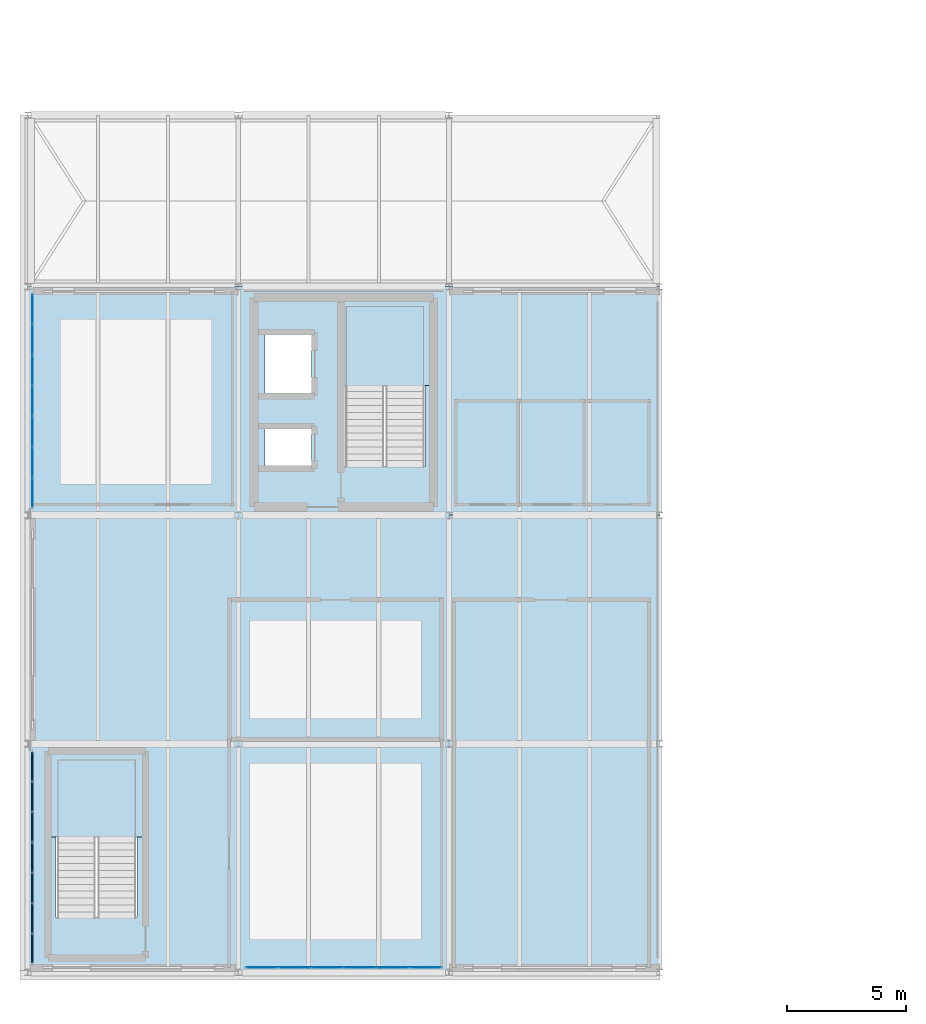
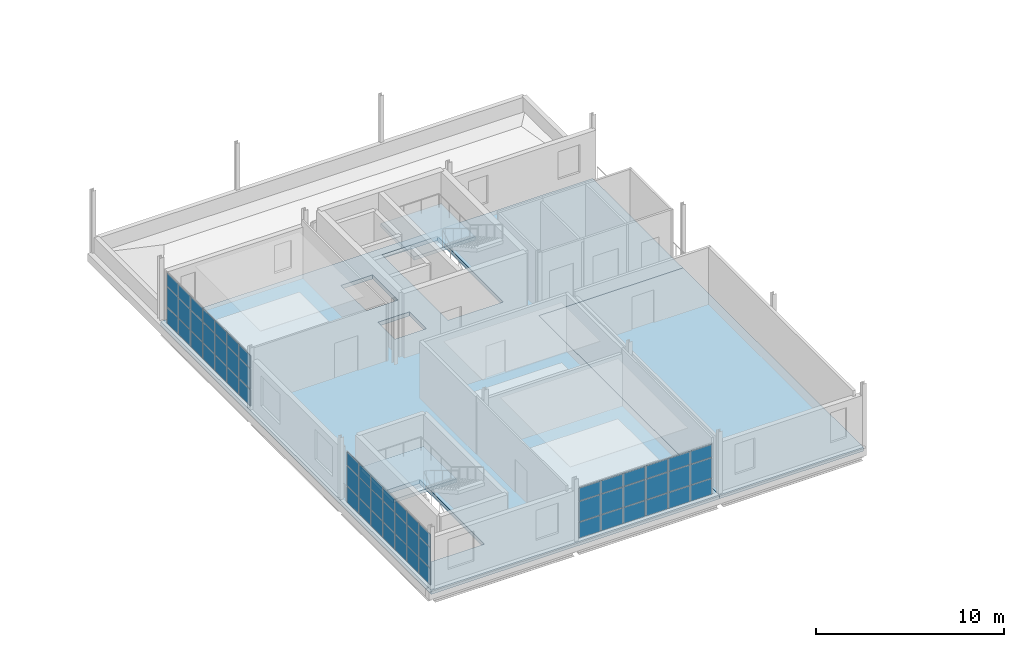
# One storey, part 16 of 28: 60 plates, 4 slabs, 5 elements without a shape of their own.
"""IFC4 building model written with IfcOpenShell, lengths in metres."""

from ifc_helpers import new_model, si_unit, direction, frame, origin, origin_2d, place, context, subcontext, project, spatial, polyline, rectangle, outline, extrude, material, layer, layer_set, type_object, element, aggregate, save


model = new_model("IFC4")

# Units and contexts
model_context = context("Model", 3, precision=1e-05, world=origin(), true_north=direction((0.0, 1.0)))
body_context = subcontext(model_context, "Body", "Model", "MODEL_VIEW")
ifc_project = project(units=[si_unit("LENGTHUNIT", "METRE"), si_unit("AREAUNIT", "SQUARE_METRE"), si_unit("VOLUMEUNIT", "CUBIC_METRE"), si_unit("PLANEANGLEUNIT", "RADIAN"), si_unit("MASSUNIT", "GRAM", prefix="KILO")], contexts=[model_context])

# Site, building, storey
site_placement = place(None, origin())
site = spatial("IfcSite", under=ifc_project, at=site_placement, CompositionType="ELEMENT")
building_placement = place(site_placement, origin())
building = spatial("IfcBuilding", under=site, at=building_placement, Name="Yeouljin Market Hall", CompositionType="ELEMENT")
storey_placement = place(building_placement, frame((0.0, 0.0, 15.0)))
storey = spatial("IfcBuildingStorey", under=building, at=storey_placement, Name="L03", CompositionType="ELEMENT", Elevation=15.0)

# Curtain wall, plates
ifc_material_1 = material(Name="Thermally Broken Aluminium", Category="aluminium")
ifc_layer_1 = layer(ifc_material_1, 0.14990234375)
ifc_layer_set_1 = layer_set([ifc_layer_1], Name="Thermally Broken Aluminium")
curtain_wall_type = type_object("IfcCurtainWallType", Name="CW_AcademyRibbon_System", PredefinedType="USERDEFINED", material=ifc_layer_set_1)
curtain_wall_1_placement = place(storey_placement, origin())
curtain_wall_1 = element("IfcCurtainWall", 1, at=curtain_wall_1_placement, inside=storey, type_object=curtain_wall_type, Name="Curtain wall CW-L03-W04", ObjectType="CURTAIN WALL", PredefinedType="USERDEFINED")
ifc_material_2 = material(Name="Anodised Bronze Spandrel Panel")
ifc_layer_2 = layer(ifc_material_2, 0.0439453125)
ifc_layer_set_2 = layer_set([ifc_layer_2], Name="Anodised Bronze Spandrel Panel")
plate_type_1 = type_object("IfcPlateType", Name="CWPanel_BronzeSpandrel_44", PredefinedType="CURTAIN_PANEL", material=ifc_layer_set_2)
plate_1_placement = place(storey_placement, frame((0.199951171875, 1.001220703125, 0.0478515625), z_axis=(0.0, 0.0, 1.0), x_axis=(0.0, 1.0, 0.0)))
plate_1 = element("IfcPlate", 2, at=plate_1_placement, type_object=plate_type_1, Name="CW-05 panel 1.1", PredefinedType="CURTAIN_PANEL", context=body_context, shape_type="SweptSolid", body=[
    extrude(rectangle(XDim=1.20654296875, YDim=0.0439453125, at=origin_2d()), origin(), (0.0, 0.0, 1.0), 1.028076171875),
])
plate_2_placement = place(storey_placement, frame((0.199951171875, 1.001220703125, 1.1240234375), z_axis=(0.0, 0.0, 1.0), x_axis=(0.0, 1.0, 0.0)))
plate_2 = element("IfcPlate", 3, at=plate_2_placement, type_object=plate_type_1, Name="CW-05 panel 1.2", PredefinedType="CURTAIN_PANEL", context=body_context, shape_type="SweptSolid", body=[
    extrude(rectangle(XDim=1.20654296875, YDim=0.0439453125, at=origin_2d()), origin(), (0.0, 0.0, 1.0), 1.302001953125),
])
plate_3_placement = place(storey_placement, frame((0.199951171875, 1.001220703125, 2.47412109375), z_axis=(0.0, 0.0, 1.0), x_axis=(0.0, 1.0, 0.0)))
plate_3 = element("IfcPlate", 4, at=plate_3_placement, type_object=plate_type_1, Name="CW-05 panel 1.3", PredefinedType="CURTAIN_PANEL", context=body_context, shape_type="SweptSolid", body=[
    extrude(rectangle(XDim=1.20654296875, YDim=0.0439453125, at=origin_2d()), origin(), (0.0, 0.0, 1.0), 0.827880859375),
])
plate_4_placement = place(storey_placement, frame((0.199951171875, 2.267822265625, 0.0478515625), z_axis=(0.0, 0.0, 1.0), x_axis=(0.0, 1.0, 0.0)))
plate_4 = element("IfcPlate", 5, at=plate_4_placement, type_object=plate_type_1, Name="CW-05 panel 2.1", PredefinedType="CURTAIN_PANEL", context=body_context, shape_type="SweptSolid", body=[
    extrude(rectangle(XDim=1.23046875, YDim=0.0439453125, at=origin_2d()), origin(), (0.0, 0.0, 1.0), 1.028076171875),
])
plate_5_placement = place(storey_placement, frame((0.199951171875, 2.267822265625, 1.1240234375), z_axis=(0.0, 0.0, 1.0), x_axis=(0.0, 1.0, 0.0)))
plate_5 = element("IfcPlate", 6, at=plate_5_placement, type_object=plate_type_1, Name="CW-05 panel 2.2", PredefinedType="CURTAIN_PANEL", context=body_context, shape_type="SweptSolid", body=[
    extrude(rectangle(XDim=1.23046875, YDim=0.0439453125, at=origin_2d()), origin(), (0.0, 0.0, 1.0), 1.302001953125),
])
plate_6_placement = place(storey_placement, frame((0.199951171875, 2.267822265625, 2.47412109375), z_axis=(0.0, 0.0, 1.0), x_axis=(0.0, 1.0, 0.0)))
plate_6 = element("IfcPlate", 7, at=plate_6_placement, type_object=plate_type_1, Name="CW-05 panel 2.3", PredefinedType="CURTAIN_PANEL", context=body_context, shape_type="SweptSolid", body=[
    extrude(rectangle(XDim=1.23046875, YDim=0.0439453125, at=origin_2d()), origin(), (0.0, 0.0, 1.0), 0.827880859375),
])
plate_7_placement = place(storey_placement, frame((0.199951171875, 3.54638671875, 0.0478515625), z_axis=(0.0, 0.0, 1.0), x_axis=(0.0, 1.0, 0.0)))
plate_7 = element("IfcPlate", 8, at=plate_7_placement, type_object=plate_type_1, Name="CW-05 panel 3.1", PredefinedType="CURTAIN_PANEL", context=body_context, shape_type="SweptSolid", body=[
    extrude(rectangle(XDim=1.23046875, YDim=0.0439453125, at=origin_2d()), origin(), (0.0, 0.0, 1.0), 1.028076171875),
])
plate_8_placement = place(storey_placement, frame((0.199951171875, 3.54638671875, 1.1240234375), z_axis=(0.0, 0.0, 1.0), x_axis=(0.0, 1.0, 0.0)))
plate_8 = element("IfcPlate", 9, at=plate_8_placement, type_object=plate_type_1, Name="CW-05 panel 3.2", PredefinedType="CURTAIN_PANEL", context=body_context, shape_type="SweptSolid", body=[
    extrude(rectangle(XDim=1.23046875, YDim=0.0439453125, at=origin_2d()), origin(), (0.0, 0.0, 1.0), 1.302001953125),
])
plate_9_placement = place(storey_placement, frame((0.199951171875, 3.54638671875, 2.47412109375), z_axis=(0.0, 0.0, 1.0), x_axis=(0.0, 1.0, 0.0)))
plate_9 = element("IfcPlate", 10, at=plate_9_placement, type_object=plate_type_1, Name="CW-05 panel 3.3", PredefinedType="CURTAIN_PANEL", context=body_context, shape_type="SweptSolid", body=[
    extrude(rectangle(XDim=1.23046875, YDim=0.0439453125, at=origin_2d()), origin(), (0.0, 0.0, 1.0), 0.827880859375),
])
plate_10_placement = place(storey_placement, frame((0.199951171875, 4.824951171875, 0.0478515625), z_axis=(0.0, 0.0, 1.0), x_axis=(0.0, 1.0, 0.0)))
plate_10 = element("IfcPlate", 11, at=plate_10_placement, type_object=plate_type_1, Name="CW-05 panel 4.1", PredefinedType="CURTAIN_PANEL", context=body_context, shape_type="SweptSolid", body=[
    extrude(rectangle(XDim=1.23046875, YDim=0.0439453125, at=origin_2d()), origin(), (0.0, 0.0, 1.0), 1.028076171875),
])
plate_11_placement = place(storey_placement, frame((0.199951171875, 4.824951171875, 1.1240234375), z_axis=(0.0, 0.0, 1.0), x_axis=(0.0, 1.0, 0.0)))
plate_11 = element("IfcPlate", 12, at=plate_11_placement, type_object=plate_type_1, Name="CW-05 panel 4.2", PredefinedType="CURTAIN_PANEL", context=body_context, shape_type="SweptSolid", body=[
    extrude(rectangle(XDim=1.23046875, YDim=0.0439453125, at=origin_2d()), origin(), (0.0, 0.0, 1.0), 1.302001953125),
])
plate_12_placement = place(storey_placement, frame((0.199951171875, 4.824951171875, 2.47412109375), z_axis=(0.0, 0.0, 1.0), x_axis=(0.0, 1.0, 0.0)))
plate_12 = element("IfcPlate", 13, at=plate_12_placement, type_object=plate_type_1, Name="CW-05 panel 4.3", PredefinedType="CURTAIN_PANEL", context=body_context, shape_type="SweptSolid", body=[
    extrude(rectangle(XDim=1.23046875, YDim=0.0439453125, at=origin_2d()), origin(), (0.0, 0.0, 1.0), 0.827880859375),
])
plate_13_placement = place(storey_placement, frame((0.199951171875, 6.103515625, 0.0478515625), z_axis=(0.0, 0.0, 1.0), x_axis=(0.0, 1.0, 0.0)))
plate_13 = element("IfcPlate", 14, at=plate_13_placement, type_object=plate_type_1, Name="CW-05 panel 5.1", PredefinedType="CURTAIN_PANEL", context=body_context, shape_type="SweptSolid", body=[
    extrude(rectangle(XDim=1.23046875, YDim=0.0439453125, at=origin_2d()), origin(), (0.0, 0.0, 1.0), 1.028076171875),
])
plate_14_placement = place(storey_placement, frame((0.199951171875, 6.103515625, 1.1240234375), z_axis=(0.0, 0.0, 1.0), x_axis=(0.0, 1.0, 0.0)))
plate_14 = element("IfcPlate", 15, at=plate_14_placement, type_object=plate_type_1, Name="CW-05 panel 5.2", PredefinedType="CURTAIN_PANEL", context=body_context, shape_type="SweptSolid", body=[
    extrude(rectangle(XDim=1.23046875, YDim=0.0439453125, at=origin_2d()), origin(), (0.0, 0.0, 1.0), 1.302001953125),
])
plate_15_placement = place(storey_placement, frame((0.199951171875, 6.103515625, 2.47412109375), z_axis=(0.0, 0.0, 1.0), x_axis=(0.0, 1.0, 0.0)))
plate_15 = element("IfcPlate", 16, at=plate_15_placement, type_object=plate_type_1, Name="CW-05 panel 5.3", PredefinedType="CURTAIN_PANEL", context=body_context, shape_type="SweptSolid", body=[
    extrude(rectangle(XDim=1.23046875, YDim=0.0439453125, at=origin_2d()), origin(), (0.0, 0.0, 1.0), 0.827880859375),
])
plate_16_placement = place(storey_placement, frame((0.199951171875, 7.382080078125, 0.0478515625), z_axis=(0.0, 0.0, 1.0), x_axis=(0.0, 1.0, 0.0)))
plate_16 = element("IfcPlate", 17, at=plate_16_placement, type_object=plate_type_1, Name="CW-05 panel 6.1", PredefinedType="CURTAIN_PANEL", context=body_context, shape_type="SweptSolid", body=[
    extrude(rectangle(XDim=1.23046875, YDim=0.0439453125, at=origin_2d()), origin(), (0.0, 0.0, 1.0), 1.028076171875),
])
plate_17_placement = place(storey_placement, frame((0.199951171875, 7.382080078125, 1.1240234375), z_axis=(0.0, 0.0, 1.0), x_axis=(0.0, 1.0, 0.0)))
plate_17 = element("IfcPlate", 18, at=plate_17_placement, type_object=plate_type_1, Name="CW-05 panel 6.2", PredefinedType="CURTAIN_PANEL", context=body_context, shape_type="SweptSolid", body=[
    extrude(rectangle(XDim=1.23046875, YDim=0.0439453125, at=origin_2d()), origin(), (0.0, 0.0, 1.0), 1.302001953125),
])
plate_18_placement = place(storey_placement, frame((0.199951171875, 7.382080078125, 2.47412109375), z_axis=(0.0, 0.0, 1.0), x_axis=(0.0, 1.0, 0.0)))
plate_18 = element("IfcPlate", 19, at=plate_18_placement, type_object=plate_type_1, Name="CW-05 panel 6.3", PredefinedType="CURTAIN_PANEL", context=body_context, shape_type="SweptSolid", body=[
    extrude(rectangle(XDim=1.23046875, YDim=0.0439453125, at=origin_2d()), origin(), (0.0, 0.0, 1.0), 0.827880859375),
])
plate_19_placement = place(storey_placement, frame((0.199951171875, 8.648681640625, 0.0478515625), z_axis=(0.0, 0.0, 1.0), x_axis=(0.0, 1.0, 0.0)))
plate_19 = element("IfcPlate", 20, at=plate_19_placement, type_object=plate_type_1, Name="CW-05 panel 7.1", PredefinedType="CURTAIN_PANEL", context=body_context, shape_type="SweptSolid", body=[
    extrude(rectangle(XDim=1.20654296875, YDim=0.0439453125, at=origin_2d()), origin(), (0.0, 0.0, 1.0), 1.028076171875),
])
plate_20_placement = place(storey_placement, frame((0.199951171875, 8.648681640625, 1.1240234375), z_axis=(0.0, 0.0, 1.0), x_axis=(0.0, 1.0, 0.0)))
plate_20 = element("IfcPlate", 21, at=plate_20_placement, type_object=plate_type_1, Name="CW-05 panel 7.2", PredefinedType="CURTAIN_PANEL", context=body_context, shape_type="SweptSolid", body=[
    extrude(rectangle(XDim=1.20654296875, YDim=0.0439453125, at=origin_2d()), origin(), (0.0, 0.0, 1.0), 1.302001953125),
])
plate_21_placement = place(storey_placement, frame((0.199951171875, 8.648681640625, 2.47412109375), z_axis=(0.0, 0.0, 1.0), x_axis=(0.0, 1.0, 0.0)))
plate_21 = element("IfcPlate", 22, at=plate_21_placement, type_object=plate_type_1, Name="CW-05 panel 7.3", PredefinedType="CURTAIN_PANEL", context=body_context, shape_type="SweptSolid", body=[
    extrude(rectangle(XDim=1.20654296875, YDim=0.0439453125, at=origin_2d()), origin(), (0.0, 0.0, 1.0), 0.827880859375),
])
aggregate(curtain_wall_1, [plate_1, plate_2, plate_3, plate_4, plate_5, plate_6, plate_7, plate_8, plate_9, plate_10, plate_11, plate_12, plate_13, plate_14, plate_15, plate_16, plate_17, plate_18, plate_19, plate_20, plate_21])

curtain_wall_2_placement = place(storey_placement, origin())
curtain_wall_2 = element("IfcCurtainWall", 23, at=curtain_wall_2_placement, inside=storey, type_object=curtain_wall_type, Name="Curtain wall CW-L03-W02", ObjectType="CURTAIN WALL", PredefinedType="USERDEFINED")
ifc_material_3 = material(Name="Low-E Insulated Glass", Category="glass")
ifc_layer_3 = layer(ifc_material_3, 0.028076171875)
ifc_layer_set_3 = layer_set([ifc_layer_3], Name="Low-E Insulated Glass")
plate_type_2 = type_object("IfcPlateType", Name="CWPanel_LowE_28", PredefinedType="CURTAIN_PANEL", material=ifc_layer_set_3)
plate_22_placement = place(storey_placement, frame((16.700439453125, 0.199951171875, 0.0478515625), z_axis=(0.0, 0.0, 1.0), x_axis=(-1.0, 0.0, 0.0)))
plate_22 = element("IfcPlate", 24, at=plate_22_placement, type_object=plate_type_2, Name="CW-05 panel 1.1", PredefinedType="CURTAIN_PANEL", context=body_context, shape_type="SweptSolid", body=[
    extrude(rectangle(XDim=1.302978515625, YDim=0.028076171875, at=origin_2d()), origin(), (0.0, 0.0, 1.0), 1.028076171875),
])
plate_23_placement = place(storey_placement, frame((16.700439453125, 0.199951171875, 1.1240234375), z_axis=(0.0, 0.0, 1.0), x_axis=(-1.0, 0.0, 0.0)))
plate_23 = element("IfcPlate", 25, at=plate_23_placement, type_object=plate_type_2, Name="CW-05 panel 1.2", PredefinedType="CURTAIN_PANEL", context=body_context, shape_type="SweptSolid", body=[
    extrude(rectangle(XDim=1.302978515625, YDim=0.028076171875, at=origin_2d()), origin(), (0.0, 0.0, 1.0), 1.302001953125),
])
plate_24_placement = place(storey_placement, frame((16.700439453125, 0.199951171875, 2.47412109375), z_axis=(0.0, 0.0, 1.0), x_axis=(-1.0, 0.0, 0.0)))
plate_24 = element("IfcPlate", 26, at=plate_24_placement, type_object=plate_type_2, Name="CW-05 panel 1.3", PredefinedType="CURTAIN_PANEL", context=body_context, shape_type="SweptSolid", body=[
    extrude(rectangle(XDim=1.302978515625, YDim=0.028076171875, at=origin_2d()), origin(), (0.0, 0.0, 1.0), 0.827880859375),
])
plate_25_placement = place(storey_placement, frame((15.33740234375, 0.199951171875, 0.0478515625), z_axis=(0.0, 0.0, 1.0), x_axis=(-1.0, 0.0, 0.0)))
plate_25 = element("IfcPlate", 27, at=plate_25_placement, type_object=plate_type_2, Name="CW-05 panel 2.1", PredefinedType="CURTAIN_PANEL", context=body_context, shape_type="SweptSolid", body=[
    extrude(rectangle(XDim=1.326904296875, YDim=0.028076171875, at=origin_2d()), origin(), (0.0, 0.0, 1.0), 1.028076171875),
])
plate_26_placement = place(storey_placement, frame((15.33740234375, 0.199951171875, 1.1240234375), z_axis=(0.0, 0.0, 1.0), x_axis=(-1.0, 0.0, 0.0)))
plate_26 = element("IfcPlate", 28, at=plate_26_placement, type_object=plate_type_2, Name="CW-05 panel 2.2", PredefinedType="CURTAIN_PANEL", context=body_context, shape_type="SweptSolid", body=[
    extrude(rectangle(XDim=1.326904296875, YDim=0.028076171875, at=origin_2d()), origin(), (0.0, 0.0, 1.0), 1.302001953125),
])
plate_27_placement = place(storey_placement, frame((15.33740234375, 0.199951171875, 2.47412109375), z_axis=(0.0, 0.0, 1.0), x_axis=(-1.0, 0.0, 0.0)))
plate_27 = element("IfcPlate", 29, at=plate_27_placement, type_object=plate_type_2, Name="CW-05 panel 2.3", PredefinedType="CURTAIN_PANEL", context=body_context, shape_type="SweptSolid", body=[
    extrude(rectangle(XDim=1.326904296875, YDim=0.028076171875, at=origin_2d()), origin(), (0.0, 0.0, 1.0), 0.827880859375),
])
plate_28_placement = place(storey_placement, frame((13.96240234375, 0.199951171875, 0.0478515625), z_axis=(0.0, 0.0, 1.0), x_axis=(-1.0, 0.0, 0.0)))
plate_28 = element("IfcPlate", 30, at=plate_28_placement, type_object=plate_type_2, Name="CW-05 panel 3.1", PredefinedType="CURTAIN_PANEL", context=body_context, shape_type="SweptSolid", body=[
    extrude(rectangle(XDim=1.326904296875, YDim=0.028076171875, at=origin_2d()), origin(), (0.0, 0.0, 1.0), 1.028076171875),
])
plate_29_placement = place(storey_placement, frame((13.96240234375, 0.199951171875, 1.1240234375), z_axis=(0.0, 0.0, 1.0), x_axis=(-1.0, 0.0, 0.0)))
plate_29 = element("IfcPlate", 31, at=plate_29_placement, type_object=plate_type_2, Name="CW-05 panel 3.2", PredefinedType="CURTAIN_PANEL", context=body_context, shape_type="SweptSolid", body=[
    extrude(rectangle(XDim=1.326904296875, YDim=0.028076171875, at=origin_2d()), origin(), (0.0, 0.0, 1.0), 1.302001953125),
])
plate_30_placement = place(storey_placement, frame((13.96240234375, 0.199951171875, 2.47412109375), z_axis=(0.0, 0.0, 1.0), x_axis=(-1.0, 0.0, 0.0)))
plate_30 = element("IfcPlate", 32, at=plate_30_placement, type_object=plate_type_2, Name="CW-05 panel 3.3", PredefinedType="CURTAIN_PANEL", context=body_context, shape_type="SweptSolid", body=[
    extrude(rectangle(XDim=1.326904296875, YDim=0.028076171875, at=origin_2d()), origin(), (0.0, 0.0, 1.0), 0.827880859375),
])
plate_31_placement = place(storey_placement, frame((12.58740234375, 0.199951171875, 0.0478515625), z_axis=(0.0, 0.0, 1.0), x_axis=(-1.0, 0.0, 0.0)))
plate_31 = element("IfcPlate", 33, at=plate_31_placement, type_object=plate_type_2, Name="CW-05 panel 4.1", PredefinedType="CURTAIN_PANEL", context=body_context, shape_type="SweptSolid", body=[
    extrude(rectangle(XDim=1.326904296875, YDim=0.028076171875, at=origin_2d()), origin(), (0.0, 0.0, 1.0), 1.028076171875),
])
plate_32_placement = place(storey_placement, frame((12.58740234375, 0.199951171875, 1.1240234375), z_axis=(0.0, 0.0, 1.0), x_axis=(-1.0, 0.0, 0.0)))
plate_32 = element("IfcPlate", 34, at=plate_32_placement, type_object=plate_type_2, Name="CW-05 panel 4.2", PredefinedType="CURTAIN_PANEL", context=body_context, shape_type="SweptSolid", body=[
    extrude(rectangle(XDim=1.326904296875, YDim=0.028076171875, at=origin_2d()), origin(), (0.0, 0.0, 1.0), 1.302001953125),
])
plate_33_placement = place(storey_placement, frame((12.58740234375, 0.199951171875, 2.47412109375), z_axis=(0.0, 0.0, 1.0), x_axis=(-1.0, 0.0, 0.0)))
plate_33 = element("IfcPlate", 35, at=plate_33_placement, type_object=plate_type_2, Name="CW-05 panel 4.3", PredefinedType="CURTAIN_PANEL", context=body_context, shape_type="SweptSolid", body=[
    extrude(rectangle(XDim=1.326904296875, YDim=0.028076171875, at=origin_2d()), origin(), (0.0, 0.0, 1.0), 0.827880859375),
])
plate_34_placement = place(storey_placement, frame((11.21240234375, 0.199951171875, 0.0478515625), z_axis=(0.0, 0.0, 1.0), x_axis=(-1.0, 0.0, 0.0)))
plate_34 = element("IfcPlate", 36, at=plate_34_placement, type_object=plate_type_2, Name="CW-05 panel 5.1", PredefinedType="CURTAIN_PANEL", context=body_context, shape_type="SweptSolid", body=[
    extrude(rectangle(XDim=1.326904296875, YDim=0.028076171875, at=origin_2d()), origin(), (0.0, 0.0, 1.0), 1.028076171875),
])
plate_35_placement = place(storey_placement, frame((11.21240234375, 0.199951171875, 1.1240234375), z_axis=(0.0, 0.0, 1.0), x_axis=(-1.0, 0.0, 0.0)))
plate_35 = element("IfcPlate", 37, at=plate_35_placement, type_object=plate_type_2, Name="CW-05 panel 5.2", PredefinedType="CURTAIN_PANEL", context=body_context, shape_type="SweptSolid", body=[
    extrude(rectangle(XDim=1.326904296875, YDim=0.028076171875, at=origin_2d()), origin(), (0.0, 0.0, 1.0), 1.302001953125),
])
plate_36_placement = place(storey_placement, frame((11.21240234375, 0.199951171875, 2.47412109375), z_axis=(0.0, 0.0, 1.0), x_axis=(-1.0, 0.0, 0.0)))
plate_36 = element("IfcPlate", 38, at=plate_36_placement, type_object=plate_type_2, Name="CW-05 panel 5.3", PredefinedType="CURTAIN_PANEL", context=body_context, shape_type="SweptSolid", body=[
    extrude(rectangle(XDim=1.326904296875, YDim=0.028076171875, at=origin_2d()), origin(), (0.0, 0.0, 1.0), 0.827880859375),
])
plate_37_placement = place(storey_placement, frame((9.849609375, 0.199951171875, 0.0478515625), z_axis=(0.0, 0.0, 1.0), x_axis=(-1.0, 0.0, 0.0)))
plate_37 = element("IfcPlate", 39, at=plate_37_placement, type_object=plate_type_2, Name="CW-05 panel 6.1", PredefinedType="CURTAIN_PANEL", context=body_context, shape_type="SweptSolid", body=[
    extrude(rectangle(XDim=1.302978515625, YDim=0.028076171875, at=origin_2d()), origin(), (0.0, 0.0, 1.0), 1.028076171875),
])
plate_38_placement = place(storey_placement, frame((9.849609375, 0.199951171875, 1.1240234375), z_axis=(0.0, 0.0, 1.0), x_axis=(-1.0, 0.0, 0.0)))
plate_38 = element("IfcPlate", 40, at=plate_38_placement, type_object=plate_type_2, Name="CW-05 panel 6.2", PredefinedType="CURTAIN_PANEL", context=body_context, shape_type="SweptSolid", body=[
    extrude(rectangle(XDim=1.302978515625, YDim=0.028076171875, at=origin_2d()), origin(), (0.0, 0.0, 1.0), 1.302001953125),
])
plate_39_placement = place(storey_placement, frame((9.849609375, 0.199951171875, 2.47412109375), z_axis=(0.0, 0.0, 1.0), x_axis=(-1.0, 0.0, 0.0)))
plate_39 = element("IfcPlate", 41, at=plate_39_placement, type_object=plate_type_2, Name="CW-05 panel 6.3", PredefinedType="CURTAIN_PANEL", context=body_context, shape_type="SweptSolid", body=[
    extrude(rectangle(XDim=1.302978515625, YDim=0.028076171875, at=origin_2d()), origin(), (0.0, 0.0, 1.0), 0.827880859375),
])
aggregate(curtain_wall_2, [plate_22, plate_23, plate_24, plate_25, plate_26, plate_27, plate_28, plate_29, plate_30, plate_31, plate_32, plate_33, plate_34, plate_35, plate_36, plate_37, plate_38, plate_39])

curtain_wall_3_placement = place(storey_placement, origin())
curtain_wall_3 = element("IfcCurtainWall", 42, at=curtain_wall_3_placement, inside=storey, type_object=curtain_wall_type, Name="Curtain wall CW-L03-W06", ObjectType="CURTAIN WALL", PredefinedType="USERDEFINED")
plate_40_placement = place(storey_placement, frame((0.199951171875, 20.15478515625, 0.0478515625), z_axis=(0.0, 0.0, 1.0), x_axis=(0.0, 1.0, 0.0)))
plate_40 = element("IfcPlate", 43, at=plate_40_placement, type_object=plate_type_2, Name="CW-05 panel 1.1", PredefinedType="CURTAIN_PANEL", context=body_context, shape_type="SweptSolid", body=[
    extrude(rectangle(XDim=1.213623046875, YDim=0.028076171875, at=origin_2d()), origin(), (0.0, 0.0, 1.0), 1.028076171875),
])
plate_41_placement = place(storey_placement, frame((0.199951171875, 20.15478515625, 1.1240234375), z_axis=(0.0, 0.0, 1.0), x_axis=(0.0, 1.0, 0.0)))
plate_41 = element("IfcPlate", 44, at=plate_41_placement, type_object=plate_type_2, Name="CW-05 panel 1.2", PredefinedType="CURTAIN_PANEL", context=body_context, shape_type="SweptSolid", body=[
    extrude(rectangle(XDim=1.213623046875, YDim=0.028076171875, at=origin_2d()), origin(), (0.0, 0.0, 1.0), 1.302001953125),
])
plate_42_placement = place(storey_placement, frame((0.199951171875, 20.15478515625, 2.47412109375), z_axis=(0.0, 0.0, 1.0), x_axis=(0.0, 1.0, 0.0)))
plate_42 = element("IfcPlate", 45, at=plate_42_placement, type_object=plate_type_2, Name="CW-05 panel 1.3", PredefinedType="CURTAIN_PANEL", context=body_context, shape_type="SweptSolid", body=[
    extrude(rectangle(XDim=1.213623046875, YDim=0.028076171875, at=origin_2d()), origin(), (0.0, 0.0, 1.0), 0.827880859375),
])
plate_43_placement = place(storey_placement, frame((0.199951171875, 21.428466796875, 0.0478515625), z_axis=(0.0, 0.0, 1.0), x_axis=(0.0, 1.0, 0.0)))
plate_43 = element("IfcPlate", 46, at=plate_43_placement, type_object=plate_type_2, Name="CW-05 panel 2.1", PredefinedType="CURTAIN_PANEL", context=body_context, shape_type="SweptSolid", body=[
    extrude(rectangle(XDim=1.23779296875, YDim=0.028076171875, at=origin_2d()), origin(), (0.0, 0.0, 1.0), 1.028076171875),
])
plate_44_placement = place(storey_placement, frame((0.199951171875, 21.428466796875, 1.1240234375), z_axis=(0.0, 0.0, 1.0), x_axis=(0.0, 1.0, 0.0)))
plate_44 = element("IfcPlate", 47, at=plate_44_placement, type_object=plate_type_2, Name="CW-05 panel 2.2", PredefinedType="CURTAIN_PANEL", context=body_context, shape_type="SweptSolid", body=[
    extrude(rectangle(XDim=1.23779296875, YDim=0.028076171875, at=origin_2d()), origin(), (0.0, 0.0, 1.0), 1.302001953125),
])
plate_45_placement = place(storey_placement, frame((0.199951171875, 21.428466796875, 2.47412109375), z_axis=(0.0, 0.0, 1.0), x_axis=(0.0, 1.0, 0.0)))
plate_45 = element("IfcPlate", 48, at=plate_45_placement, type_object=plate_type_2, Name="CW-05 panel 2.3", PredefinedType="CURTAIN_PANEL", context=body_context, shape_type="SweptSolid", body=[
    extrude(rectangle(XDim=1.23779296875, YDim=0.028076171875, at=origin_2d()), origin(), (0.0, 0.0, 1.0), 0.827880859375),
])
plate_46_placement = place(storey_placement, frame((0.199951171875, 22.71435546875, 0.0478515625), z_axis=(0.0, 0.0, 1.0), x_axis=(0.0, 1.0, 0.0)))
plate_46 = element("IfcPlate", 49, at=plate_46_placement, type_object=plate_type_2, Name="CW-05 panel 3.1", PredefinedType="CURTAIN_PANEL", context=body_context, shape_type="SweptSolid", body=[
    extrude(rectangle(XDim=1.23779296875, YDim=0.028076171875, at=origin_2d()), origin(), (0.0, 0.0, 1.0), 1.028076171875),
])
plate_47_placement = place(storey_placement, frame((0.199951171875, 22.71435546875, 1.1240234375), z_axis=(0.0, 0.0, 1.0), x_axis=(0.0, 1.0, 0.0)))
plate_47 = element("IfcPlate", 50, at=plate_47_placement, type_object=plate_type_2, Name="CW-05 panel 3.2", PredefinedType="CURTAIN_PANEL", context=body_context, shape_type="SweptSolid", body=[
    extrude(rectangle(XDim=1.23779296875, YDim=0.028076171875, at=origin_2d()), origin(), (0.0, 0.0, 1.0), 1.302001953125),
])
plate_48_placement = place(storey_placement, frame((0.199951171875, 22.71435546875, 2.47412109375), z_axis=(0.0, 0.0, 1.0), x_axis=(0.0, 1.0, 0.0)))
plate_48 = element("IfcPlate", 51, at=plate_48_placement, type_object=plate_type_2, Name="CW-05 panel 3.3", PredefinedType="CURTAIN_PANEL", context=body_context, shape_type="SweptSolid", body=[
    extrude(rectangle(XDim=1.23779296875, YDim=0.028076171875, at=origin_2d()), origin(), (0.0, 0.0, 1.0), 0.827880859375),
])
plate_49_placement = place(storey_placement, frame((0.199951171875, 24.0, 0.0478515625), z_axis=(0.0, 0.0, 1.0), x_axis=(0.0, 1.0, 0.0)))
plate_49 = element("IfcPlate", 52, at=plate_49_placement, type_object=plate_type_2, Name="CW-05 panel 4.1", PredefinedType="CURTAIN_PANEL", context=body_context, shape_type="SweptSolid", body=[
    extrude(rectangle(XDim=1.23779296875, YDim=0.028076171875, at=origin_2d()), origin(), (0.0, 0.0, 1.0), 1.028076171875),
])
plate_50_placement = place(storey_placement, frame((0.199951171875, 24.0, 1.1240234375), z_axis=(0.0, 0.0, 1.0), x_axis=(0.0, 1.0, 0.0)))
plate_50 = element("IfcPlate", 53, at=plate_50_placement, type_object=plate_type_2, Name="CW-05 panel 4.2", PredefinedType="CURTAIN_PANEL", context=body_context, shape_type="SweptSolid", body=[
    extrude(rectangle(XDim=1.23779296875, YDim=0.028076171875, at=origin_2d()), origin(), (0.0, 0.0, 1.0), 1.302001953125),
])
plate_51_placement = place(storey_placement, frame((0.199951171875, 24.0, 2.47412109375), z_axis=(0.0, 0.0, 1.0), x_axis=(0.0, 1.0, 0.0)))
plate_51 = element("IfcPlate", 54, at=plate_51_placement, type_object=plate_type_2, Name="CW-05 panel 4.3", PredefinedType="CURTAIN_PANEL", context=body_context, shape_type="SweptSolid", body=[
    extrude(rectangle(XDim=1.23779296875, YDim=0.028076171875, at=origin_2d()), origin(), (0.0, 0.0, 1.0), 0.827880859375),
])
plate_52_placement = place(storey_placement, frame((0.199951171875, 25.28564453125, 0.0478515625), z_axis=(0.0, 0.0, 1.0), x_axis=(0.0, 1.0, 0.0)))
plate_52 = element("IfcPlate", 55, at=plate_52_placement, type_object=plate_type_2, Name="CW-05 panel 5.1", PredefinedType="CURTAIN_PANEL", context=body_context, shape_type="SweptSolid", body=[
    extrude(rectangle(XDim=1.23779296875, YDim=0.028076171875, at=origin_2d()), origin(), (0.0, 0.0, 1.0), 1.028076171875),
])
plate_53_placement = place(storey_placement, frame((0.199951171875, 25.28564453125, 1.1240234375), z_axis=(0.0, 0.0, 1.0), x_axis=(0.0, 1.0, 0.0)))
plate_53 = element("IfcPlate", 56, at=plate_53_placement, type_object=plate_type_2, Name="CW-05 panel 5.2", PredefinedType="CURTAIN_PANEL", context=body_context, shape_type="SweptSolid", body=[
    extrude(rectangle(XDim=1.23779296875, YDim=0.028076171875, at=origin_2d()), origin(), (0.0, 0.0, 1.0), 1.302001953125),
])
plate_54_placement = place(storey_placement, frame((0.199951171875, 25.28564453125, 2.47412109375), z_axis=(0.0, 0.0, 1.0), x_axis=(0.0, 1.0, 0.0)))
plate_54 = element("IfcPlate", 57, at=plate_54_placement, type_object=plate_type_2, Name="CW-05 panel 5.3", PredefinedType="CURTAIN_PANEL", context=body_context, shape_type="SweptSolid", body=[
    extrude(rectangle(XDim=1.23779296875, YDim=0.028076171875, at=origin_2d()), origin(), (0.0, 0.0, 1.0), 0.827880859375),
])
plate_55_placement = place(storey_placement, frame((0.199951171875, 26.571533203125, 0.0478515625), z_axis=(0.0, 0.0, 1.0), x_axis=(0.0, 1.0, 0.0)))
plate_55 = element("IfcPlate", 58, at=plate_55_placement, type_object=plate_type_2, Name="CW-05 panel 6.1", PredefinedType="CURTAIN_PANEL", context=body_context, shape_type="SweptSolid", body=[
    extrude(rectangle(XDim=1.23779296875, YDim=0.028076171875, at=origin_2d()), origin(), (0.0, 0.0, 1.0), 1.028076171875),
])
plate_56_placement = place(storey_placement, frame((0.199951171875, 26.571533203125, 1.1240234375), z_axis=(0.0, 0.0, 1.0), x_axis=(0.0, 1.0, 0.0)))
plate_56 = element("IfcPlate", 59, at=plate_56_placement, type_object=plate_type_2, Name="CW-05 panel 6.2", PredefinedType="CURTAIN_PANEL", context=body_context, shape_type="SweptSolid", body=[
    extrude(rectangle(XDim=1.23779296875, YDim=0.028076171875, at=origin_2d()), origin(), (0.0, 0.0, 1.0), 1.302001953125),
])
plate_57_placement = place(storey_placement, frame((0.199951171875, 26.571533203125, 2.47412109375), z_axis=(0.0, 0.0, 1.0), x_axis=(0.0, 1.0, 0.0)))
plate_57 = element("IfcPlate", 60, at=plate_57_placement, type_object=plate_type_2, Name="CW-05 panel 6.3", PredefinedType="CURTAIN_PANEL", context=body_context, shape_type="SweptSolid", body=[
    extrude(rectangle(XDim=1.23779296875, YDim=0.028076171875, at=origin_2d()), origin(), (0.0, 0.0, 1.0), 0.827880859375),
])
plate_58_placement = place(storey_placement, frame((0.199951171875, 27.84521484375, 0.0478515625), z_axis=(0.0, 0.0, 1.0), x_axis=(0.0, 1.0, 0.0)))
plate_58 = element("IfcPlate", 61, at=plate_58_placement, type_object=plate_type_2, Name="CW-05 panel 7.1", PredefinedType="CURTAIN_PANEL", context=body_context, shape_type="SweptSolid", body=[
    extrude(rectangle(XDim=1.213623046875, YDim=0.028076171875, at=origin_2d()), origin(), (0.0, 0.0, 1.0), 1.028076171875),
])
plate_59_placement = place(storey_placement, frame((0.199951171875, 27.84521484375, 1.1240234375), z_axis=(0.0, 0.0, 1.0), x_axis=(0.0, 1.0, 0.0)))
plate_59 = element("IfcPlate", 62, at=plate_59_placement, type_object=plate_type_2, Name="CW-05 panel 7.2", PredefinedType="CURTAIN_PANEL", context=body_context, shape_type="SweptSolid", body=[
    extrude(rectangle(XDim=1.213623046875, YDim=0.028076171875, at=origin_2d()), origin(), (0.0, 0.0, 1.0), 1.302001953125),
])
plate_60_placement = place(storey_placement, frame((0.199951171875, 27.84521484375, 2.47412109375), z_axis=(0.0, 0.0, 1.0), x_axis=(0.0, 1.0, 0.0)))
plate_60 = element("IfcPlate", 63, at=plate_60_placement, type_object=plate_type_2, Name="CW-05 panel 7.3", PredefinedType="CURTAIN_PANEL", context=body_context, shape_type="SweptSolid", body=[
    extrude(rectangle(XDim=1.213623046875, YDim=0.028076171875, at=origin_2d()), origin(), (0.0, 0.0, 1.0), 0.827880859375),
])
aggregate(curtain_wall_3, [plate_40, plate_41, plate_42, plate_43, plate_44, plate_45, plate_46, plate_47, plate_48, plate_49, plate_50, plate_51, plate_52, plate_53, plate_54, plate_55, plate_56, plate_57, plate_58, plate_59, plate_60])

# Slabs
ifc_material_4 = material(Name="Concrete C30/37", Category="concrete")
ifc_layer_4 = layer(ifc_material_4, 0.2548828125)
ifc_layer_set_4 = layer_set([ifc_layer_4], Name="Concrete C30/37")
slab_type_1 = type_object("IfcSlabType", Name="SLB_WING_210", PredefinedType="FLOOR", material=ifc_layer_set_4)
slab_1_placement = place(storey_placement, frame((0.0, 0.0, -0.2548828125)))
element("IfcSlab", 64, at=slab_1_placement, inside=storey, type_object=slab_type_1, Name="Structural slab SLB-L03-WSB", PredefinedType="FLOOR", context=body_context, shape_type="SweptSolid", body=[
    extrude(outline(polyline([(17.699951171875, 0.0), (26.550048828125, 0.0), (26.550048828125, 19.199951171875), (17.699951171875, 19.199951171875), (17.699951171875, 0.0)])), origin(), (0.0, 0.0, 1.0), 0.2548828125),
])
ifc_material_5 = material(Name="Concrete C30/37", Category="concrete")
ifc_layer_5 = layer(ifc_material_5, 0.264892578125)
ifc_layer_set_5 = layer_set([ifc_layer_5], Name="Concrete C30/37")
slab_type_2 = type_object("IfcSlabType", Name="SLB_WING_220", PredefinedType="FLOOR", material=ifc_layer_set_5)
slab_2_placement = place(storey_placement, frame((0.0, 0.0, -0.264892578125)))
element("IfcSlab", 65, at=slab_2_placement, inside=storey, type_object=slab_type_2, Name="Structural slab SLB-L03-WS", PredefinedType="FLOOR", context=body_context, shape_type="SweptSolid", body=[
    extrude(outline(polyline([(0.0, 0.0), (17.699951171875, 0.0), (17.699951171875, 19.199951171875), (26.550048828125, 19.199951171875), (26.550048828125, 28.800048828125), (0.0, 28.800048828125), (0.0, 0.0)]), holes=[polyline([(13.300048828125, 21.25), (16.699951171875, 21.25), (16.699951171875, 28.27001953125), (13.300048828125, 28.27001953125), (13.300048828125, 21.25)]), polyline([(1.199951171875, 2.300048828125), (4.60009765625, 2.300048828125), (4.60009765625, 9.219970703125), (1.199951171875, 9.219970703125), (1.199951171875, 2.300048828125)]), polyline([(9.97509765625, 21.14990234375), (11.925048828125, 21.14990234375), (11.925048828125, 22.949951171875), (9.97509765625, 22.949951171875), (9.97509765625, 21.14990234375)]), polyline([(9.97509765625, 24.199951171875), (11.925048828125, 24.199951171875), (11.925048828125, 26.89990234375), (9.97509765625, 26.89990234375), (9.97509765625, 24.199951171875)])]), origin(), (0.0, 0.0, 1.0), 0.264892578125),
])

# Stair, slab
ifc_material_6 = material(Name="Concrete C30/37", Category="concrete")
stair_type_1 = type_object("IfcStairType", Name="Stair_Core_L03_L04", PredefinedType="TWO_STRAIGHT_RUN_STAIR", material=ifc_material_6)
stair_1_placement = place(storey_placement, origin())
stair_1 = element("IfcStair", 66, at=stair_1_placement, inside=storey, type_object=stair_type_1, Name="Enclosed exit stair ST-C1-L03", PredefinedType="TWO_STRAIGHT_RUN_STAIR")
ifc_material_7 = material(Name="Concrete C30/37", Category="concrete")
ifc_layer_6 = layer(ifc_material_7, 0.219970703125)
ifc_layer_set_6 = layer_set([ifc_layer_6], Name="Concrete C30/37")
slab_type_3 = type_object("IfcSlabType", Name="StairLanding_220", PredefinedType="LANDING", material=ifc_layer_set_6)
slab_3_placement = place(storey_placement, frame((0.0, 0.0, 1.8798828125)))
slab_3 = element("IfcSlab", 67, at=slab_3_placement, type_object=slab_type_3, Name="ST-C1-L03 landing 1", PredefinedType="LANDING", context=body_context, shape_type="SweptSolid", body=[
    extrude(outline(polyline([(13.179931640625, 24.639892578125), (16.929931640625, 24.639892578125), (16.929931640625, 28.22998046875), (13.179931640625, 28.22998046875), (13.179931640625, 24.639892578125)])), origin(), (0.0, 0.0, 1.0), 0.22021484375),
])
aggregate(stair_1, [slab_3])

ifc_material_8 = material(Name="Concrete C30/37", Category="concrete")
stair_type_2 = type_object("IfcStairType", Name="Stair_Escape_Wing", PredefinedType="HALF_TURN_STAIR", material=ifc_material_8)
stair_2_placement = place(storey_placement, origin())
stair_2 = element("IfcStair", 68, at=stair_2_placement, inside=storey, type_object=stair_type_2, Name="Enclosed exit stair ST-S7-L03", PredefinedType="HALF_TURN_STAIR")
slab_4_placement = place(storey_placement, frame((0.0, 0.0, 1.8798828125)))
slab_4 = element("IfcSlab", 69, at=slab_4_placement, type_object=slab_type_3, Name="ST-S7-L03 landing 1", PredefinedType="LANDING", context=body_context, shape_type="SweptSolid", body=[
    extrude(outline(polyline([(0.969970703125, 5.68994140625), (4.830078125, 5.68994140625), (4.830078125, 9.179931640625), (0.969970703125, 9.179931640625), (0.969970703125, 5.68994140625)])), origin(), (0.0, 0.0, 1.0), 0.22021484375),
])
aggregate(stair_2, [slab_4])

save(model, "model.ifc")
